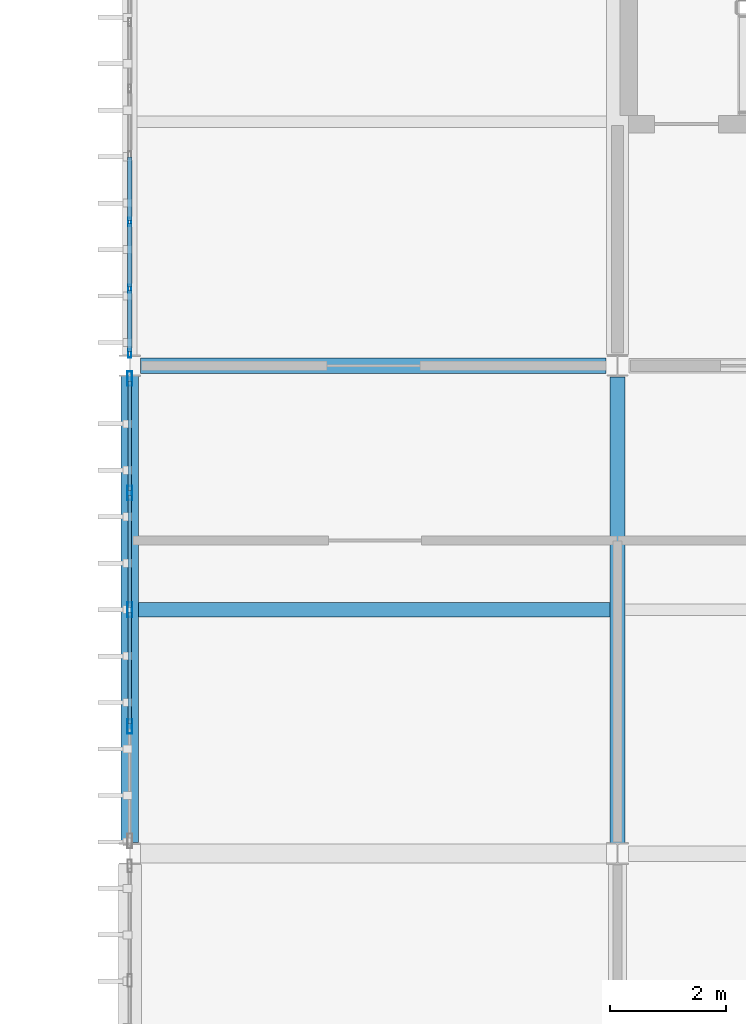
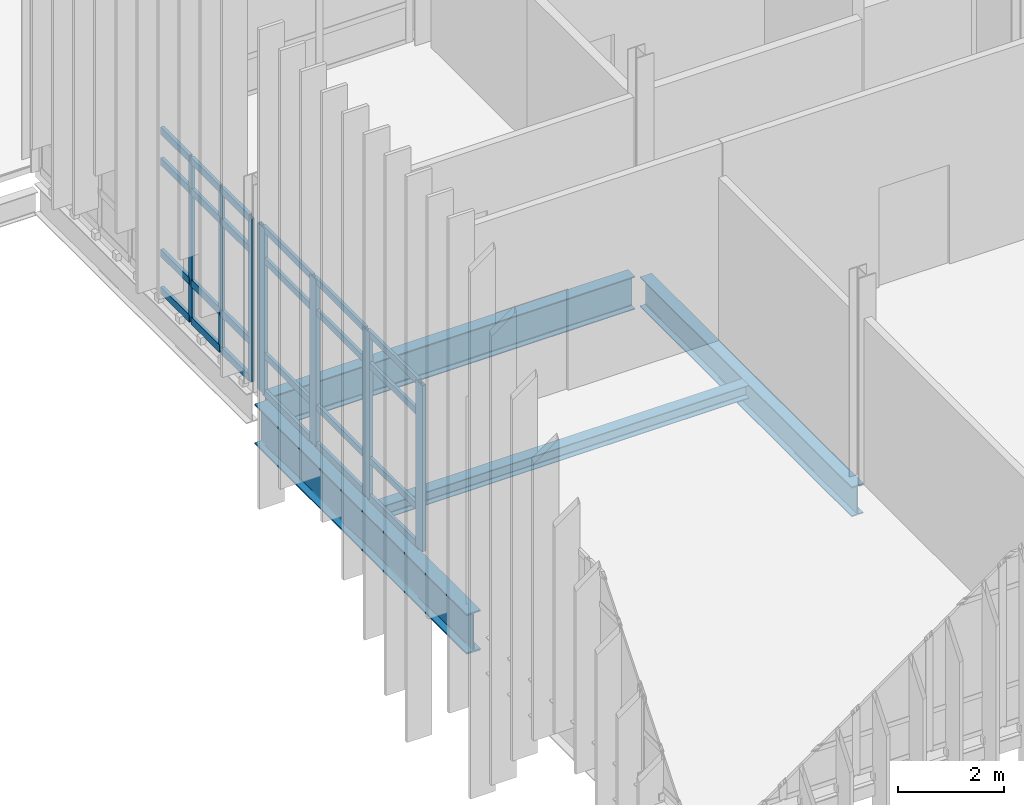
# One storey, part 24 of 153: 31 members, 4 beams, 2 elements without a shape of their own.
"""IFC4 building model written with IfcOpenShell, lengths in metres."""

from ifc_helpers import new_model, si_unit, direction, frame, origin, origin_2d, place, context, subcontext, project, spatial, hollow_rectangle, i_section, extrude, material, layer, layer_set, material_profile, profile_set, type_object, element, aggregate, save


model = new_model("IFC4")

# Units and contexts
model_context = context("Model", 3, precision=1e-05, world=origin(), true_north=direction((0.0, 1.0)))
body_context = subcontext(model_context, "Body", "Model", "MODEL_VIEW")
ifc_project = project(units=[si_unit("LENGTHUNIT", "METRE"), si_unit("AREAUNIT", "SQUARE_METRE"), si_unit("VOLUMEUNIT", "CUBIC_METRE"), si_unit("PLANEANGLEUNIT", "RADIAN"), si_unit("MASSUNIT", "GRAM", prefix="KILO")], contexts=[model_context])

# Site, building, storey
site_placement = place(None, origin())
site = spatial("IfcSite", under=ifc_project, at=site_placement, CompositionType="ELEMENT")
building_placement = place(site_placement, origin())
building = spatial("IfcBuilding", under=site, at=building_placement, Name="Calvrana Isthmian Art Gallery", CompositionType="ELEMENT")
storey_placement = place(building_placement, frame((0.0, 0.0, 10.199951171875)))
storey = spatial("IfcBuildingStorey", under=building, at=storey_placement, Name="L02", CompositionType="ELEMENT", Elevation=10.199951171875)

# Beams
ifc_material_1 = material(Name="Steel ASTM A992 Gr 50", Category="steel")
ifc_material_profile_1 = material_profile(ifc_material_1, i_section(OverallWidth=0.257080078125, OverallDepth=0.693115234375, WebThickness=0.014404296875, FlangeThickness=0.023681640625, FilletRadius=0.02392578125, at=origin_2d()), Name="W27X114")
ifc_profile_set_1 = profile_set([ifc_material_profile_1], Name="Steel ASTM A992 Gr 50")
beam_type_1 = type_object("IfcBeamType", Name="BM-G-W27X114", PredefinedType="BEAM", material=ifc_profile_set_1)
beam_1_placement = place(storey_placement, frame((30.0, 30.18408203125, -0.611572265625), z_axis=(0.0, 1.0, 0.0), x_axis=(-1.0, 0.0, 0.0)))
element("IfcBeam", 1, at=beam_1_placement, inside=storey, type_object=beam_type_1, Name="Girder Y L02 05/E-F", PredefinedType="BEAM", context=body_context, shape_type="SweptSolid", body=[
    extrude(i_section(OverallWidth=0.257080078125, OverallDepth=0.693115234375, WebThickness=0.014404296875, FlangeThickness=0.023681640625, FilletRadius=0.02392578125, at=origin_2d()), origin(), (0.0, 0.0, 1.0), 8.02294921875),
])
ifc_material_profile_2 = material_profile(ifc_material_1, i_section(OverallWidth=0.26708984375, OverallDepth=0.761962890625, WebThickness=0.014404296875, FlangeThickness=0.021484375, FilletRadius=0.02490234375, at=origin_2d()), Name="W30X116")
ifc_profile_set_2 = profile_set([ifc_material_profile_2], Name="Steel ASTM A992 Gr 50")
beam_type_2 = type_object("IfcBeamType", Name="BM-G-W30X116", PredefinedType="BEAM", material=ifc_profile_set_2)
beam_2_placement = place(storey_placement, frame((21.783935546875, 38.39990234375, -0.64599609375), z_axis=(1.0, 0.0, 0.0), x_axis=(0.0, 1.0, 0.0)))
element("IfcBeam", 2, at=beam_2_placement, inside=storey, type_object=beam_type_2, Name="Girder X L02 04-05/F", PredefinedType="BEAM", context=body_context, shape_type="SweptSolid", body=[
    extrude(i_section(OverallWidth=0.26708984375, OverallDepth=0.761962890625, WebThickness=0.014404296875, FlangeThickness=0.021484375, FilletRadius=0.02490234375, at=origin_2d()), origin(), (0.0, 0.0, 1.0), 8.0166015625),
])
ifc_material_profile_3 = material_profile(ifc_material_1, i_section(OverallWidth=0.306884765625, OverallDepth=0.927001953125, WebThickness=0.019287109375, FlangeThickness=0.031982421875, FilletRadius=0.028076171875, at=origin_2d()), Name="W36X194")
ifc_profile_set_3 = profile_set([ifc_material_profile_3], Name="Steel ASTM A992 Gr 50")
beam_type_3 = type_object("IfcBeamType", Name="BM-G-W36X194", PredefinedType="BEAM", material=ifc_profile_set_3)
beam_3_placement = place(storey_placement, frame((21.60009765625, 30.1865234375, -0.728515625), z_axis=(0.0, 1.0, 0.0), x_axis=(-1.0, 0.0, 0.0)))
element("IfcBeam", 3, at=beam_3_placement, inside=storey, type_object=beam_type_3, Name="Girder Y L02 04/E-F", PredefinedType="BEAM", context=body_context, shape_type="SweptSolid", body=[
    extrude(i_section(OverallWidth=0.306884765625, OverallDepth=0.927001953125, WebThickness=0.019287109375, FlangeThickness=0.031982421875, FilletRadius=0.028076171875, at=origin_2d()), origin(), (0.0, 0.0, 1.0), 8.035400390625),
])
ifc_material_profile_4 = material_profile(ifc_material_1, i_section(OverallWidth=0.25390625, OverallDepth=0.306884765625, WebThickness=0.0087890625, FlangeThickness=0.0146484375, FilletRadius=0.01611328125, at=origin_2d()), Name="W12X53")
ifc_profile_set_4 = profile_set([ifc_material_profile_4], Name="Steel ASTM A992 Gr 50")
beam_type_4 = type_object("IfcBeamType", Name="BM-J-W12X53", PredefinedType="JOIST", material=ifc_profile_set_4)
beam_4_placement = place(storey_placement, frame((21.75341796875, 34.199951171875, -0.41845703125), z_axis=(1.0, 0.0, 0.0), x_axis=(0.0, 1.0, 0.0)))
element("IfcBeam", 4, at=beam_4_placement, inside=storey, type_object=beam_type_4, Name="Composite joist L02 bay 03-04", PredefinedType="JOIST", context=body_context, shape_type="SweptSolid", body=[
    extrude(i_section(OverallWidth=0.25390625, OverallDepth=0.306884765625, WebThickness=0.0087890625, FlangeThickness=0.0146484375, FilletRadius=0.01611328125, at=origin_2d()), origin(), (0.0, 0.0, 1.0), 8.1181640625),
])

# Curtain wall, members
ifc_material_2 = material(Name="Anodized bronze aluminium 6063-T6", Category="aluminium")
ifc_layer = layer(ifc_material_2, 0.179931640625, Name="Anodized bronze aluminium 6063-T6")
ifc_layer_set = layer_set([ifc_layer], Name="Anodized bronze aluminium 6063-T6")
curtain_wall_type = type_object("IfcCurtainWallType", Name="CW-UNIT-080X38", PredefinedType="USERDEFINED", material=ifc_layer_set)
curtain_wall_1_placement = place(storey_placement, origin())
curtain_wall_1 = element("IfcCurtainWall", 5, at=curtain_wall_1_placement, inside=storey, type_object=curtain_wall_type, Name="Curtain wall CW-168", ObjectType="UNITISED CURTAIN WALL", PredefinedType="USERDEFINED")
ifc_material_profile_5 = material_profile(ifc_material_2, hollow_rectangle(XDim=0.06005859375, YDim=0.139892578125, WallThickness=0.00390625, at=origin_2d()), Name="CWM60X140")
ifc_profile_set_5 = profile_set([ifc_material_profile_5], Name="Anodized bronze aluminium 6063-T6")
member_type_1 = type_object("IfcMemberType", Name="CWM-CWM60X140", PredefinedType="MULLION", material=ifc_profile_set_5)
member_1_placement = place(storey_placement, frame((21.60009765625, 38.611572265625, 0.0), z_axis=(0.0, 0.0, 1.0), x_axis=(-1.0, 0.0, 0.0)))
member_1 = element("IfcMember", 6, at=member_1_placement, type_object=member_type_1, Name="CW-168 mullion 1", PredefinedType="MULLION", context=body_context, shape_type="SweptSolid", body=[
    extrude(hollow_rectangle(XDim=0.06005859375, YDim=0.139892578125, WallThickness=0.00390625, at=origin_2d()), origin(), (0.0, 0.0, 1.0), 3.76806640625),
])
member_2_placement = place(storey_placement, frame((21.60009765625, 39.728271484375, 0.0), z_axis=(0.0, 0.0, 1.0), x_axis=(-1.0, 0.0, 0.0)))
member_2 = element("IfcMember", 7, at=member_2_placement, type_object=member_type_1, Name="CW-168 mullion 2", PredefinedType="MULLION", context=body_context, shape_type="SweptSolid", body=[
    extrude(hollow_rectangle(XDim=0.06005859375, YDim=0.139892578125, WallThickness=0.00390625, at=origin_2d()), origin(), (0.0, 0.0, 1.0), 3.76806640625),
])
member_3_placement = place(storey_placement, frame((21.60009765625, 40.875244140625, 0.0), z_axis=(0.0, 0.0, 1.0), x_axis=(-1.0, 0.0, 0.0)))
member_3 = element("IfcMember", 8, at=member_3_placement, type_object=member_type_1, Name="CW-168 mullion 3", PredefinedType="MULLION", context=body_context, shape_type="SweptSolid", body=[
    extrude(hollow_rectangle(XDim=0.06005859375, YDim=0.139892578125, WallThickness=0.00390625, at=origin_2d()), origin(), (0.0, 0.0, 1.0), 3.76806640625),
])

curtain_wall_2_placement = place(storey_placement, origin())
curtain_wall_2 = element("IfcCurtainWall", 9, at=curtain_wall_2_placement, inside=storey, type_object=curtain_wall_type, Name="Curtain wall CW-167", ObjectType="UNITISED CURTAIN WALL", PredefinedType="USERDEFINED")
ifc_material_profile_6 = material_profile(ifc_material_2, hollow_rectangle(XDim=0.080078125, YDim=0.25, WallThickness=0.005615234375, at=origin_2d()), Name="CWM80X250")
ifc_profile_set_6 = profile_set([ifc_material_profile_6], Name="Anodized bronze aluminium 6063-T6")
member_type_2 = type_object("IfcMemberType", Name="CWM-CWM80X250", PredefinedType="MULLION", material=ifc_profile_set_6)
member_4_placement = place(storey_placement, frame((21.60009765625, 32.188232421875, 0.0), z_axis=(0.0, 0.0, 1.0), x_axis=(-1.0, 0.0, 0.0)))
member_4 = element("IfcMember", 10, at=member_4_placement, type_object=member_type_2, Name="CW-167 mullion 2", PredefinedType="MULLION", context=body_context, shape_type="SweptSolid", body=[
    extrude(hollow_rectangle(XDim=0.080078125, YDim=0.25, WallThickness=0.005615234375, at=origin_2d()), origin(), (0.0, 0.0, 1.0), 3.84716796875),
])
member_5_placement = place(storey_placement, frame((21.60009765625, 34.1982421875, 0.0), z_axis=(0.0, 0.0, 1.0), x_axis=(-1.0, 0.0, 0.0)))
member_5 = element("IfcMember", 11, at=member_5_placement, type_object=member_type_2, Name="CW-167 mullion 3", PredefinedType="MULLION", context=body_context, shape_type="SweptSolid", body=[
    extrude(hollow_rectangle(XDim=0.080078125, YDim=0.25, WallThickness=0.005615234375, at=origin_2d()), origin(), (0.0, 0.0, 1.0), 3.84716796875),
])
member_6_placement = place(storey_placement, frame((21.60009765625, 36.20849609375, 0.0), z_axis=(0.0, 0.0, 1.0), x_axis=(-1.0, 0.0, 0.0)))
member_6 = element("IfcMember", 12, at=member_6_placement, type_object=member_type_2, Name="CW-167 mullion 4", PredefinedType="MULLION", context=body_context, shape_type="SweptSolid", body=[
    extrude(hollow_rectangle(XDim=0.080078125, YDim=0.25, WallThickness=0.005615234375, at=origin_2d()), origin(), (0.0, 0.0, 1.0), 3.84716796875),
])
member_7_placement = place(storey_placement, frame((21.60009765625, 38.178466796875, 0.0), z_axis=(0.0, 0.0, 1.0), x_axis=(-1.0, 0.0, 0.0)))
member_7 = element("IfcMember", 13, at=member_7_placement, type_object=member_type_2, Name="CW-167 mullion 5", PredefinedType="MULLION", context=body_context, shape_type="SweptSolid", body=[
    extrude(hollow_rectangle(XDim=0.080078125, YDim=0.25, WallThickness=0.005615234375, at=origin_2d()), origin(), (0.0, 0.0, 1.0), 3.84716796875),
])
ifc_material_profile_7 = material_profile(ifc_material_2, hollow_rectangle(XDim=0.06494140625, YDim=0.14990234375, WallThickness=0.00390625, at=origin_2d()), Name="CWT65X150")
ifc_profile_set_7 = profile_set([ifc_material_profile_7], Name="Anodized bronze aluminium 6063-T6")
member_type_3 = type_object("IfcMemberType", Name="CWT-CWT65X150", PredefinedType="USERDEFINED", material=ifc_profile_set_7)
member_8_placement = place(storey_placement, frame((21.60009765625, 32.22802734375, 0.032470703125), z_axis=(0.0, 1.0, 0.0), x_axis=(-1.0, 0.0, 0.0)))
member_8 = element("IfcMember", 14, at=member_8_placement, type_object=member_type_3, Name="CW-167 transom 2.1", ObjectType="TRANSOM", PredefinedType="USERDEFINED", context=body_context, shape_type="SweptSolid", body=[
    extrude(hollow_rectangle(XDim=0.06494140625, YDim=0.14990234375, WallThickness=0.00390625, at=origin_2d()), origin(), (0.0, 0.0, 1.0), 1.93017578125),
])
member_9_placement = place(storey_placement, frame((21.60009765625, 32.22802734375, 0.900146484375), z_axis=(0.0, 1.0, 0.0), x_axis=(-1.0, 0.0, 0.0)))
member_9 = element("IfcMember", 15, at=member_9_placement, type_object=member_type_3, Name="CW-167 transom 2.2", ObjectType="TRANSOM", PredefinedType="USERDEFINED", context=body_context, shape_type="SweptSolid", body=[
    extrude(hollow_rectangle(XDim=0.06494140625, YDim=0.14990234375, WallThickness=0.00390625, at=origin_2d()), origin(), (0.0, 0.0, 1.0), 1.93017578125),
])
member_10_placement = place(storey_placement, frame((21.60009765625, 32.22802734375, 3.09716796875), z_axis=(0.0, 1.0, 0.0), x_axis=(-1.0, 0.0, 0.0)))
member_10 = element("IfcMember", 16, at=member_10_placement, type_object=member_type_3, Name="CW-167 transom 2.3", ObjectType="TRANSOM", PredefinedType="USERDEFINED", context=body_context, shape_type="SweptSolid", body=[
    extrude(hollow_rectangle(XDim=0.06494140625, YDim=0.14990234375, WallThickness=0.00390625, at=origin_2d()), origin(), (0.0, 0.0, 1.0), 1.93017578125),
])
member_11_placement = place(storey_placement, frame((21.60009765625, 32.22802734375, 3.814453125), z_axis=(0.0, 1.0, 0.0), x_axis=(-1.0, 0.0, 0.0)))
member_11 = element("IfcMember", 17, at=member_11_placement, type_object=member_type_3, Name="CW-167 transom 2.4", ObjectType="TRANSOM", PredefinedType="USERDEFINED", context=body_context, shape_type="SweptSolid", body=[
    extrude(hollow_rectangle(XDim=0.06494140625, YDim=0.14990234375, WallThickness=0.00390625, at=origin_2d()), origin(), (0.0, 0.0, 1.0), 1.93017578125),
])
member_12_placement = place(storey_placement, frame((21.60009765625, 34.23828125, 0.032470703125), z_axis=(0.0, 1.0, 0.0), x_axis=(-1.0, 0.0, 0.0)))
member_12 = element("IfcMember", 18, at=member_12_placement, type_object=member_type_3, Name="CW-167 transom 3.1", ObjectType="TRANSOM", PredefinedType="USERDEFINED", context=body_context, shape_type="SweptSolid", body=[
    extrude(hollow_rectangle(XDim=0.06494140625, YDim=0.14990234375, WallThickness=0.00390625, at=origin_2d()), origin(), (0.0, 0.0, 1.0), 1.93017578125),
])
member_13_placement = place(storey_placement, frame((21.60009765625, 34.23828125, 0.900146484375), z_axis=(0.0, 1.0, 0.0), x_axis=(-1.0, 0.0, 0.0)))
member_13 = element("IfcMember", 19, at=member_13_placement, type_object=member_type_3, Name="CW-167 transom 3.2", ObjectType="TRANSOM", PredefinedType="USERDEFINED", context=body_context, shape_type="SweptSolid", body=[
    extrude(hollow_rectangle(XDim=0.06494140625, YDim=0.14990234375, WallThickness=0.00390625, at=origin_2d()), origin(), (0.0, 0.0, 1.0), 1.93017578125),
])
member_14_placement = place(storey_placement, frame((21.60009765625, 34.23828125, 3.09716796875), z_axis=(0.0, 1.0, 0.0), x_axis=(-1.0, 0.0, 0.0)))
member_14 = element("IfcMember", 20, at=member_14_placement, type_object=member_type_3, Name="CW-167 transom 3.3", ObjectType="TRANSOM", PredefinedType="USERDEFINED", context=body_context, shape_type="SweptSolid", body=[
    extrude(hollow_rectangle(XDim=0.06494140625, YDim=0.14990234375, WallThickness=0.00390625, at=origin_2d()), origin(), (0.0, 0.0, 1.0), 1.93017578125),
])
member_15_placement = place(storey_placement, frame((21.60009765625, 34.23828125, 3.814453125), z_axis=(0.0, 1.0, 0.0), x_axis=(-1.0, 0.0, 0.0)))
member_15 = element("IfcMember", 21, at=member_15_placement, type_object=member_type_3, Name="CW-167 transom 3.4", ObjectType="TRANSOM", PredefinedType="USERDEFINED", context=body_context, shape_type="SweptSolid", body=[
    extrude(hollow_rectangle(XDim=0.06494140625, YDim=0.14990234375, WallThickness=0.00390625, at=origin_2d()), origin(), (0.0, 0.0, 1.0), 1.93017578125),
])
member_16_placement = place(storey_placement, frame((21.60009765625, 36.248291015625, 0.032470703125), z_axis=(0.0, 1.0, 0.0), x_axis=(-1.0, 0.0, 0.0)))
member_16 = element("IfcMember", 22, at=member_16_placement, type_object=member_type_3, Name="CW-167 transom 4.1", ObjectType="TRANSOM", PredefinedType="USERDEFINED", context=body_context, shape_type="SweptSolid", body=[
    extrude(hollow_rectangle(XDim=0.06494140625, YDim=0.14990234375, WallThickness=0.00390625, at=origin_2d()), origin(), (0.0, 0.0, 1.0), 1.89013671875),
])
member_17_placement = place(storey_placement, frame((21.60009765625, 36.248291015625, 0.900146484375), z_axis=(0.0, 1.0, 0.0), x_axis=(-1.0, 0.0, 0.0)))
member_17 = element("IfcMember", 23, at=member_17_placement, type_object=member_type_3, Name="CW-167 transom 4.2", ObjectType="TRANSOM", PredefinedType="USERDEFINED", context=body_context, shape_type="SweptSolid", body=[
    extrude(hollow_rectangle(XDim=0.06494140625, YDim=0.14990234375, WallThickness=0.00390625, at=origin_2d()), origin(), (0.0, 0.0, 1.0), 1.89013671875),
])
member_18_placement = place(storey_placement, frame((21.60009765625, 36.248291015625, 3.09716796875), z_axis=(0.0, 1.0, 0.0), x_axis=(-1.0, 0.0, 0.0)))
member_18 = element("IfcMember", 24, at=member_18_placement, type_object=member_type_3, Name="CW-167 transom 4.3", ObjectType="TRANSOM", PredefinedType="USERDEFINED", context=body_context, shape_type="SweptSolid", body=[
    extrude(hollow_rectangle(XDim=0.06494140625, YDim=0.14990234375, WallThickness=0.00390625, at=origin_2d()), origin(), (0.0, 0.0, 1.0), 1.89013671875),
])
member_19_placement = place(storey_placement, frame((21.60009765625, 36.248291015625, 3.814453125), z_axis=(0.0, 1.0, 0.0), x_axis=(-1.0, 0.0, 0.0)))
member_19 = element("IfcMember", 25, at=member_19_placement, type_object=member_type_3, Name="CW-167 transom 4.4", ObjectType="TRANSOM", PredefinedType="USERDEFINED", context=body_context, shape_type="SweptSolid", body=[
    extrude(hollow_rectangle(XDim=0.06494140625, YDim=0.14990234375, WallThickness=0.00390625, at=origin_2d()), origin(), (0.0, 0.0, 1.0), 1.89013671875),
])
aggregate(curtain_wall_2, [member_4, member_5, member_6, member_7, member_8, member_9, member_10, member_11, member_12, member_13, member_14, member_15, member_16, member_17, member_18, member_19])

# Member
ifc_material_profile_8 = material_profile(ifc_material_2, hollow_rectangle(XDim=0.070068359375, YDim=0.169921875, WallThickness=0.00439453125, at=origin_2d()), Name="CWT70X170")
ifc_profile_set_8 = profile_set([ifc_material_profile_8], Name="Anodized bronze aluminium 6063-T6")
member_type_4 = type_object("IfcMemberType", Name="CWT-CWT70X170", PredefinedType="USERDEFINED", material=ifc_profile_set_8)
member_20_placement = place(storey_placement, frame((21.60009765625, 38.6416015625, 0.03515625), z_axis=(0.0, 1.0, 0.0), x_axis=(-1.0, 0.0, 0.0)))
member_20 = element("IfcMember", 26, at=member_20_placement, type_object=member_type_4, Name="CW-168 transom 1.1", ObjectType="TRANSOM", PredefinedType="USERDEFINED", context=body_context, shape_type="SweptSolid", body=[
    extrude(hollow_rectangle(XDim=0.070068359375, YDim=0.169921875, WallThickness=0.00439453125, at=origin_2d()), origin(), (0.0, 0.0, 1.0), 1.056640625),
])

member_21_placement = place(storey_placement, frame((21.60009765625, 38.6416015625, 0.900146484375), z_axis=(0.0, 1.0, 0.0), x_axis=(-1.0, 0.0, 0.0)))
member_21 = element("IfcMember", 27, at=member_21_placement, type_object=member_type_4, Name="CW-168 transom 1.2", ObjectType="TRANSOM", PredefinedType="USERDEFINED", context=body_context, shape_type="SweptSolid", body=[
    extrude(hollow_rectangle(XDim=0.070068359375, YDim=0.169921875, WallThickness=0.00439453125, at=origin_2d()), origin(), (0.0, 0.0, 1.0), 1.056640625),
])

member_22_placement = place(storey_placement, frame((21.60009765625, 38.6416015625, 3.01806640625), z_axis=(0.0, 1.0, 0.0), x_axis=(-1.0, 0.0, 0.0)))
member_22 = element("IfcMember", 28, at=member_22_placement, type_object=member_type_4, Name="CW-168 transom 1.3", ObjectType="TRANSOM", PredefinedType="USERDEFINED", context=body_context, shape_type="SweptSolid", body=[
    extrude(hollow_rectangle(XDim=0.070068359375, YDim=0.169921875, WallThickness=0.00439453125, at=origin_2d()), origin(), (0.0, 0.0, 1.0), 1.056640625),
])

member_23_placement = place(storey_placement, frame((21.60009765625, 38.6416015625, 3.733154296875), z_axis=(0.0, 1.0, 0.0), x_axis=(-1.0, 0.0, 0.0)))
member_23 = element("IfcMember", 29, at=member_23_placement, type_object=member_type_4, Name="CW-168 transom 1.4", ObjectType="TRANSOM", PredefinedType="USERDEFINED", context=body_context, shape_type="SweptSolid", body=[
    extrude(hollow_rectangle(XDim=0.070068359375, YDim=0.169921875, WallThickness=0.00439453125, at=origin_2d()), origin(), (0.0, 0.0, 1.0), 1.056640625),
])

member_24_placement = place(storey_placement, frame((21.60009765625, 39.75830078125, 0.03515625), z_axis=(0.0, 1.0, 0.0), x_axis=(-1.0, 0.0, 0.0)))
member_24 = element("IfcMember", 30, at=member_24_placement, type_object=member_type_4, Name="CW-168 transom 2.1", ObjectType="TRANSOM", PredefinedType="USERDEFINED", context=body_context, shape_type="SweptSolid", body=[
    extrude(hollow_rectangle(XDim=0.070068359375, YDim=0.169921875, WallThickness=0.00439453125, at=origin_2d()), origin(), (0.0, 0.0, 1.0), 1.0869140625),
])

member_25_placement = place(storey_placement, frame((21.60009765625, 39.75830078125, 0.900146484375), z_axis=(0.0, 1.0, 0.0), x_axis=(-1.0, 0.0, 0.0)))
member_25 = element("IfcMember", 31, at=member_25_placement, type_object=member_type_4, Name="CW-168 transom 2.2", ObjectType="TRANSOM", PredefinedType="USERDEFINED", context=body_context, shape_type="SweptSolid", body=[
    extrude(hollow_rectangle(XDim=0.070068359375, YDim=0.169921875, WallThickness=0.00439453125, at=origin_2d()), origin(), (0.0, 0.0, 1.0), 1.0869140625),
])

member_26_placement = place(storey_placement, frame((21.60009765625, 39.75830078125, 3.01806640625), z_axis=(0.0, 1.0, 0.0), x_axis=(-1.0, 0.0, 0.0)))
member_26 = element("IfcMember", 32, at=member_26_placement, type_object=member_type_4, Name="CW-168 transom 2.3", ObjectType="TRANSOM", PredefinedType="USERDEFINED", context=body_context, shape_type="SweptSolid", body=[
    extrude(hollow_rectangle(XDim=0.070068359375, YDim=0.169921875, WallThickness=0.00439453125, at=origin_2d()), origin(), (0.0, 0.0, 1.0), 1.0869140625),
])

member_27_placement = place(storey_placement, frame((21.60009765625, 39.75830078125, 3.733154296875), z_axis=(0.0, 1.0, 0.0), x_axis=(-1.0, 0.0, 0.0)))
member_27 = element("IfcMember", 33, at=member_27_placement, type_object=member_type_4, Name="CW-168 transom 2.4", ObjectType="TRANSOM", PredefinedType="USERDEFINED", context=body_context, shape_type="SweptSolid", body=[
    extrude(hollow_rectangle(XDim=0.070068359375, YDim=0.169921875, WallThickness=0.00439453125, at=origin_2d()), origin(), (0.0, 0.0, 1.0), 1.0869140625),
])

member_28_placement = place(storey_placement, frame((21.60009765625, 40.9052734375, 0.03515625), z_axis=(0.0, 1.0, 0.0), x_axis=(-1.0, 0.0, 0.0)))
member_28 = element("IfcMember", 34, at=member_28_placement, type_object=member_type_4, Name="CW-168 transom 3.1", ObjectType="TRANSOM", PredefinedType="USERDEFINED", context=body_context, shape_type="SweptSolid", body=[
    extrude(hollow_rectangle(XDim=0.070068359375, YDim=0.169921875, WallThickness=0.00439453125, at=origin_2d()), origin(), (0.0, 0.0, 1.0), 1.0869140625),
])

member_29_placement = place(storey_placement, frame((21.60009765625, 40.9052734375, 0.900146484375), z_axis=(0.0, 1.0, 0.0), x_axis=(-1.0, 0.0, 0.0)))
member_29 = element("IfcMember", 35, at=member_29_placement, type_object=member_type_4, Name="CW-168 transom 3.2", ObjectType="TRANSOM", PredefinedType="USERDEFINED", context=body_context, shape_type="SweptSolid", body=[
    extrude(hollow_rectangle(XDim=0.070068359375, YDim=0.169921875, WallThickness=0.00439453125, at=origin_2d()), origin(), (0.0, 0.0, 1.0), 1.0869140625),
])

member_30_placement = place(storey_placement, frame((21.60009765625, 40.9052734375, 3.01806640625), z_axis=(0.0, 1.0, 0.0), x_axis=(-1.0, 0.0, 0.0)))
member_30 = element("IfcMember", 36, at=member_30_placement, type_object=member_type_4, Name="CW-168 transom 3.3", ObjectType="TRANSOM", PredefinedType="USERDEFINED", context=body_context, shape_type="SweptSolid", body=[
    extrude(hollow_rectangle(XDim=0.070068359375, YDim=0.169921875, WallThickness=0.00439453125, at=origin_2d()), origin(), (0.0, 0.0, 1.0), 1.0869140625),
])

member_31_placement = place(storey_placement, frame((21.60009765625, 40.9052734375, 3.733154296875), z_axis=(0.0, 1.0, 0.0), x_axis=(-1.0, 0.0, 0.0)))
member_31 = element("IfcMember", 37, at=member_31_placement, type_object=member_type_4, Name="CW-168 transom 3.4", ObjectType="TRANSOM", PredefinedType="USERDEFINED", context=body_context, shape_type="SweptSolid", body=[
    extrude(hollow_rectangle(XDim=0.070068359375, YDim=0.169921875, WallThickness=0.00439453125, at=origin_2d()), origin(), (0.0, 0.0, 1.0), 1.0869140625),
])

aggregate(curtain_wall_1, [member_1, member_2, member_3, member_20, member_21, member_22, member_23, member_24, member_25, member_26, member_27, member_28, member_29, member_30, member_31])

save(model, "model.ifc")
